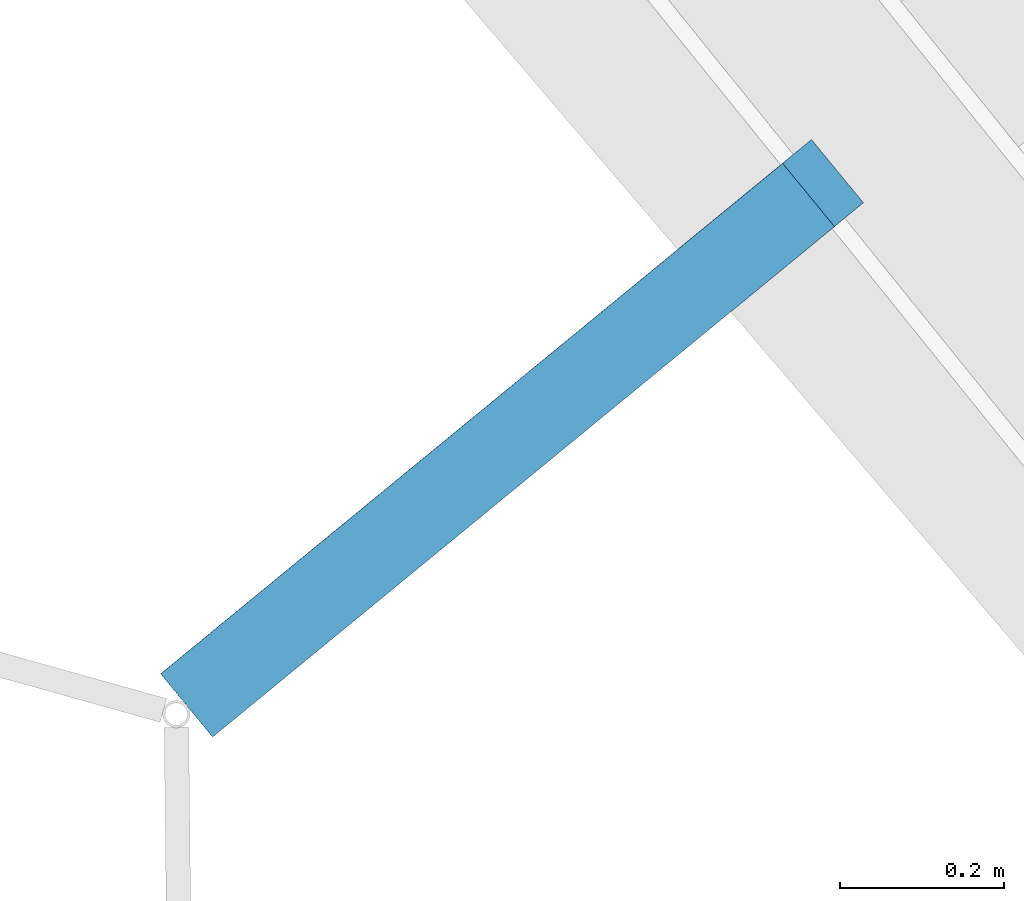
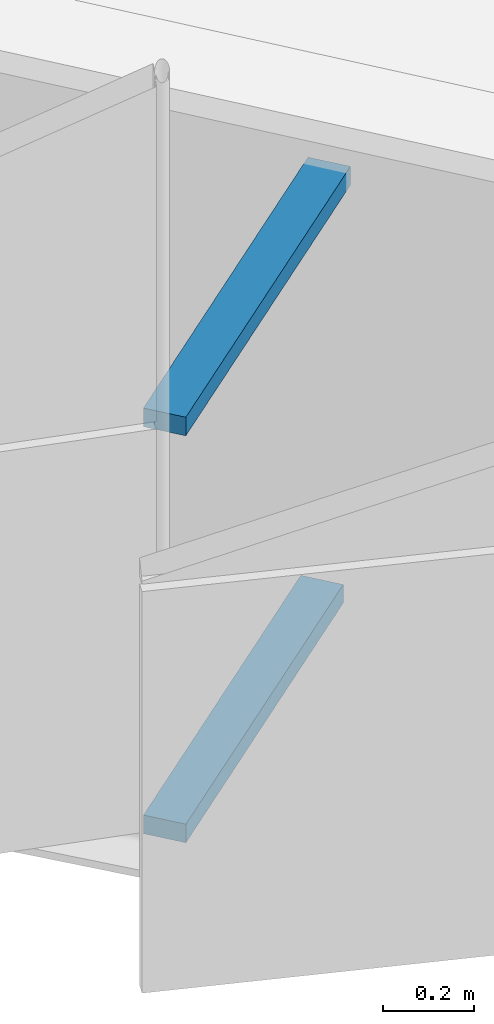
# One storey, part 258 of 483: 2 discrete accessories.
"""IFC4 building model written with IfcOpenShell, lengths in metres."""

import ifcopenshell
import ifcopenshell.guid

model = None  # the IFC model being written
_history = None  # IfcOwnerHistory: only IFC2X3 demands one
_inside = {}  # id of a spatial element -> (the spatial element, [elements in it])
_under = {}  # id of a project, library or spatial element -> (it, [spatial elements below it])
_declared = {}  # id of a project -> (the project, [libraries it declares])
_typed = {}  # id of a type object -> (the type object, [elements of that type])
_made_of = {}  # id of a material, layer set ... -> (it, [elements and type objects made of it])


def new_model(schema):
    """Start an empty IFC model of exactly this schema.

    Asked for "IFC4X3", IfcOpenShell would pick the latest addendum, in which some entities
    have other attributes; the version numbers below select the first issue.
    IFC2X3 requires an IfcOwnerHistory on every rooted entity: one is made here for all.
    """
    global model, _history
    if schema == "IFC4X3":
        model = ifcopenshell.file(schema_version=(4, 3, 0, 0))
    else:
        model = ifcopenshell.file(schema=schema)
    _inside.clear()
    _under.clear()
    _declared.clear()
    _typed.clear()
    _made_of.clear()
    _history = None
    if model.schema == "IFC2X3":
        org = make("IfcOrganization", Name="unknown")
        user = make(
            "IfcPersonAndOrganization",
            ThePerson=make("IfcPerson", FamilyName="unknown"),
            TheOrganization=org,
        )
        app = make(
            "IfcApplication",
            ApplicationDeveloper=org,
            Version="unknown",
            ApplicationFullName="unknown",
            ApplicationIdentifier="unknown",
        )
        _history = make(
            "IfcOwnerHistory",
            OwningUser=user,
            OwningApplication=app,
            ChangeAction="ADDED",
            CreationDate=0,
        )
    return model


def make(cls, **values):
    """One entity of the class cls with the attributes given. An attribute that is None is left unset."""
    return model.create_entity(
        cls, **{name: value for name, value in values.items() if value is not None}
    )


def rooted(cls, **values):
    """An entity with a GlobalId (a new one), such as an element, a storey or a relation."""
    return make(cls, GlobalId=ifcopenshell.guid.new(), OwnerHistory=_history, **values)


def si_unit(unit_type, name, prefix=None):
    """IfcSIUnit, for example si_unit("LENGTHUNIT", "METRE", prefix="MILLI")."""
    return make("IfcSIUnit", UnitType=unit_type, Prefix=prefix, Name=name)


def assignment(units):
    """IfcUnitAssignment: the units of a project."""
    return None if units is None else make("IfcUnitAssignment", Units=units)


def point(xyz):
    """IfcCartesianPoint."""
    return None if xyz is None else make("IfcCartesianPoint", Coordinates=xyz)


def direction(xyz):
    """IfcDirection."""
    return None if xyz is None else make("IfcDirection", DirectionRatios=xyz)


def frame(location, z_axis=None, x_axis=None):
    """IfcAxis2Placement3D, a coordinate frame: its origin and axes. An axis left out is left unset."""
    return make(
        "IfcAxis2Placement3D",
        Location=point(location),
        Axis=direction(z_axis),
        RefDirection=direction(x_axis),
    )


def frame_2d(location, x_axis=None):
    """IfcAxis2Placement2D, a coordinate frame in the plane: its origin and x axis."""
    return make(
        "IfcAxis2Placement2D", Location=point(location), RefDirection=direction(x_axis)
    )


def origin():
    """The frame at (0, 0, 0) with its axes left unset."""
    return frame((0.0, 0.0, 0.0))


def origin_2d():
    """The frame at (0, 0) in the plane with its x axis left unset."""
    return frame_2d((0.0, 0.0))


def place(relative_to, where):
    """IfcLocalPlacement: puts the frame where relative to a parent placement (None: the world)."""
    return make(
        "IfcLocalPlacement", PlacementRelTo=relative_to, RelativePlacement=where
    )


def context(
    kind, dimensions, precision=None, world=None, true_north=None, identifier=None
):
    """IfcGeometricRepresentationContext, for example the 3D "Model" context."""
    return make(
        "IfcGeometricRepresentationContext",
        ContextIdentifier=identifier,
        ContextType=kind,
        CoordinateSpaceDimension=dimensions,
        Precision=precision,
        WorldCoordinateSystem=world,
        TrueNorth=true_north,
    )


def subcontext(parent, identifier, kind, view, scale=None):
    """IfcGeometricRepresentationSubContext, for example "Body" below "Model"."""
    return make(
        "IfcGeometricRepresentationSubContext",
        ContextIdentifier=identifier,
        ContextType=kind,
        ParentContext=parent,
        TargetScale=scale,
        TargetView=view,
    )


def project(units=None, contexts=None):
    """IfcProject with its units and contexts."""
    return rooted(
        "IfcProject",
        Name="project",
        RepresentationContexts=contexts,
        UnitsInContext=assignment(units),
    )


def spatial(cls, under=None, at=None, **own):
    """A site, building, storey or space (cls), placed at a placement, below another one or the project."""
    s = rooted(cls, ObjectPlacement=at, **own)
    if under is not None:
        _under.setdefault(under.id(), (under, []))[1].append(s)
    return s


def profile(cls, at=None, kind="AREA", **sizes):
    """A parametric profile (cls). Its sizes go by their IFC names, for example OverallWidth=200.0."""
    return make(cls, ProfileType=kind, Position=at, **sizes)


def rectangle(**sizes):
    """IfcRectangleProfileDef."""
    return profile("IfcRectangleProfileDef", **sizes)


def extrude(swept, where, along, depth):
    """IfcExtrudedAreaSolid: the profile swept, set in the frame where, extruded along a direction by depth."""
    return make(
        "IfcExtrudedAreaSolid",
        SweptArea=swept,
        Position=where,
        ExtrudedDirection=direction(along),
        Depth=depth,
    )


def shape(context_of_items, identifier, shape_type, items):
    """IfcShapeRepresentation: the items that make up one representation, for example the "Body"."""
    return make(
        "IfcShapeRepresentation",
        ContextOfItems=context_of_items,
        RepresentationIdentifier=identifier,
        RepresentationType=shape_type,
        Items=items,
    )


def material(Name=None, Category=None):
    """IfcMaterial."""
    return make("IfcMaterial", Name=Name, Category=Category)


def made_of(thing, what):
    """Note that an element or type object is made of a material, layer set ...; save() writes the relation."""
    if what is not None:
        _made_of.setdefault(what.id(), (what, []))[1].append(thing)
    return thing


def type_object(cls, material=None, **own):
    """A type object (cls), such as IfcWallType, which elements share."""
    return made_of(rooted(cls, **own), material)


def element(
    cls,
    number,
    at=None,
    inside=None,
    cuts=None,
    type_object=None,
    material=None,
    context=None,
    identifier="Body",
    shape_type=None,
    held_by="IfcProductDefinitionShape",
    body=None,
    shapes=None,
    **own,
):
    """One element of the class cls, such as IfcWall. Its Tag is "e" and its number.

    at: its placement. inside: the storey or other place that contains it. cuts: it is an
    opening in that element (IfcRelVoidsElement). A single representation is given by context,
    identifier, shape_type and body (its items); several are given by shapes. held_by: the class
    of the entity that holds the representations. save() writes the other relations.
    """
    e = rooted(cls, Tag="e%d" % number, ObjectPlacement=at, **own)
    if body is not None:
        shapes = [shape(context, identifier, shape_type, body)]
    if shapes is not None:
        e.Representation = make(held_by, Representations=shapes)
    if inside is not None:
        _inside.setdefault(inside.id(), (inside, []))[1].append(e)
    if cuts is not None:
        rooted(
            "IfcRelVoidsElement", RelatingBuildingElement=cuts, RelatedOpeningElement=e
        )
    if type_object is not None:
        _typed.setdefault(type_object.id(), (type_object, []))[1].append(e)
    return made_of(e, material)


def aggregate(whole, parts):
    """IfcRelAggregates: a whole, such as a stair, and the parts it consists of."""
    return rooted("IfcRelAggregates", RelatingObject=whole, RelatedObjects=parts)


def save(model, path):
    """Write the relations noted so far, then the file.

    IfcRelAggregates (storeys below a building ...), IfcRelContainedInSpatialStructure (elements
    in a storey), IfcRelDefinesByType, IfcRelAssociatesMaterial and IfcRelDeclares: one each for
    every whole, place, type object, material and project.
    """
    for whole, parts in _under.values():
        aggregate(whole, parts)
    for where, things in _inside.values():
        rooted(
            "IfcRelContainedInSpatialStructure",
            RelatedElements=things,
            RelatingStructure=where,
        )
    for kind, things in _typed.values():
        rooted("IfcRelDefinesByType", RelatedObjects=things, RelatingType=kind)
    for what, things in _made_of.values():
        rooted("IfcRelAssociatesMaterial", RelatedObjects=things, RelatingMaterial=what)
    for by, libraries in _declared.values():
        rooted("IfcRelDeclares", RelatingContext=by, RelatedDefinitions=libraries)
    model.write(path)


model = new_model("IFC4")

# Units and contexts
model_context = context("Model", 3, precision=1e-05, world=origin(), true_north=direction((0.0, 1.0)))
body_context = subcontext(model_context, "Body", "Model", "MODEL_VIEW")
ifc_project = project(units=[si_unit("LENGTHUNIT", "METRE"), si_unit("AREAUNIT", "SQUARE_METRE"), si_unit("VOLUMEUNIT", "CUBIC_METRE"), si_unit("PLANEANGLEUNIT", "RADIAN"), si_unit("MASSUNIT", "GRAM", prefix="KILO")], contexts=[model_context])

# Site, building, storey
site_placement = place(None, origin())
site = spatial("IfcSite", under=ifc_project, at=site_placement, CompositionType="ELEMENT")
building_placement = place(site_placement, origin())
building = spatial("IfcBuilding", under=site, at=building_placement, Name="Parallax Yard Mobility Hub", CompositionType="ELEMENT")
storey_placement = place(building_placement, frame((0.0, 0.0, 13.199951171875)))
storey = spatial("IfcBuildingStorey", under=building, at=storey_placement, Name="L04", CompositionType="ELEMENT", Elevation=13.199951171875)

# Discrete accessories
ifc_material = material(Name="Steel ASTM A36, hot-dip galvanised", Category="steel")
discrete_accessory_type = type_object("IfcDiscreteAccessoryType", Name="Hinge bracket plate 100x50", PredefinedType="BRACKET", material=ifc_material)
discrete_accessory_1_placement = place(storey_placement, frame((189.595703125, 103.842041015625, -0.02490234375), z_axis=(0.0, 0.0, 1.0), x_axis=(-0.773010453363, -0.634393284164, 0.0)))
element("IfcDiscreteAccessory", 1, at=discrete_accessory_1_placement, inside=storey, type_object=discrete_accessory_type, Name="Hinge bracket plate bay 20.6 level L04", PredefinedType="BRACKET", context=body_context, shape_type="SweptSolid", body=[
    extrude(rectangle(XDim=0.984130859375, YDim=0.10009765625, at=origin_2d()), origin(), (0.0, 0.0, 1.0), 0.050048828125),
])
discrete_accessory_2_placement = place(storey_placement, frame((189.61328125, 103.856689453125, 1.06982421875), z_axis=(0.0, 0.0, 1.0), x_axis=(-0.773010453363, -0.634393284164, 0.0)))
element("IfcDiscreteAccessory", 2, at=discrete_accessory_2_placement, inside=storey, type_object=discrete_accessory_type, Name="Hinge bracket plate bay 20.6 level L04", PredefinedType="BRACKET", context=body_context, shape_type="SweptSolid", body=[
    extrude(rectangle(XDim=1.030029296875, YDim=0.10009765625, at=origin_2d()), origin(), (0.0, 0.0, 1.0), 0.050048828125),
])

save(model, "model.ifc")
